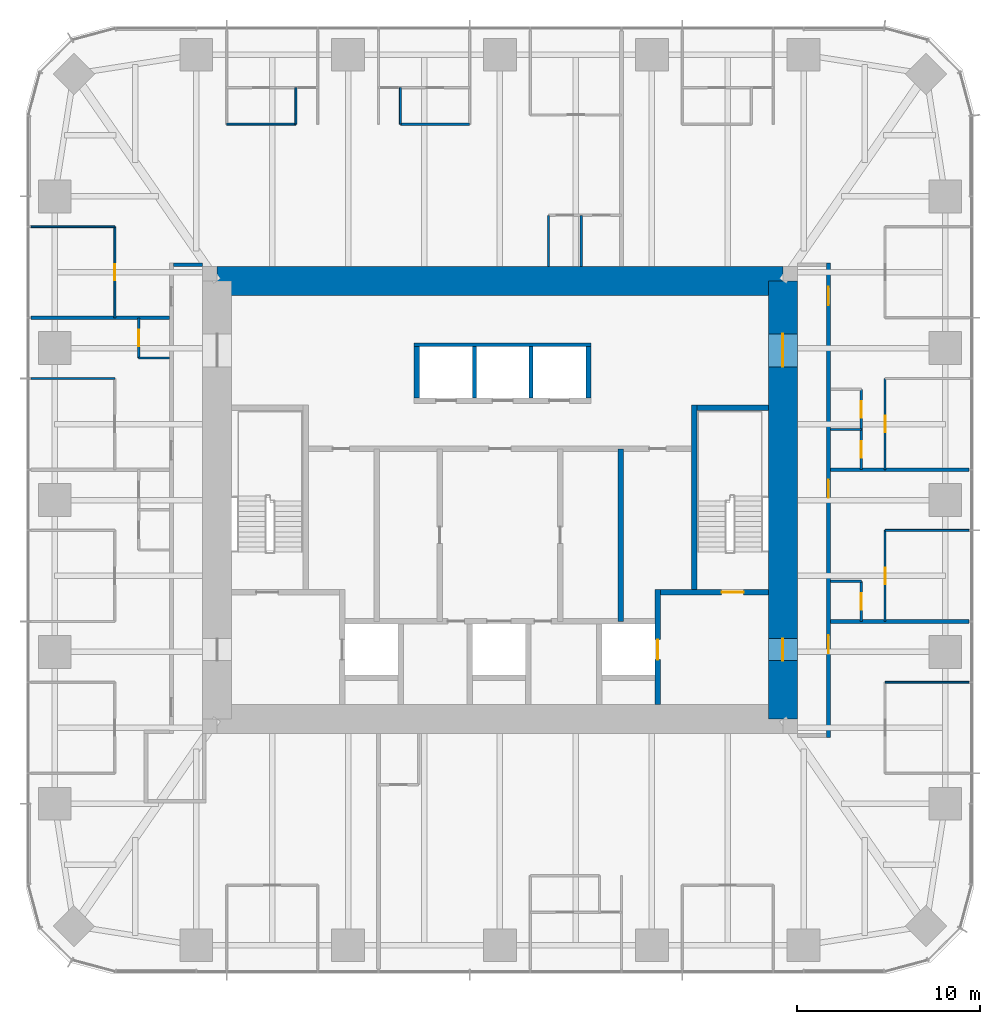
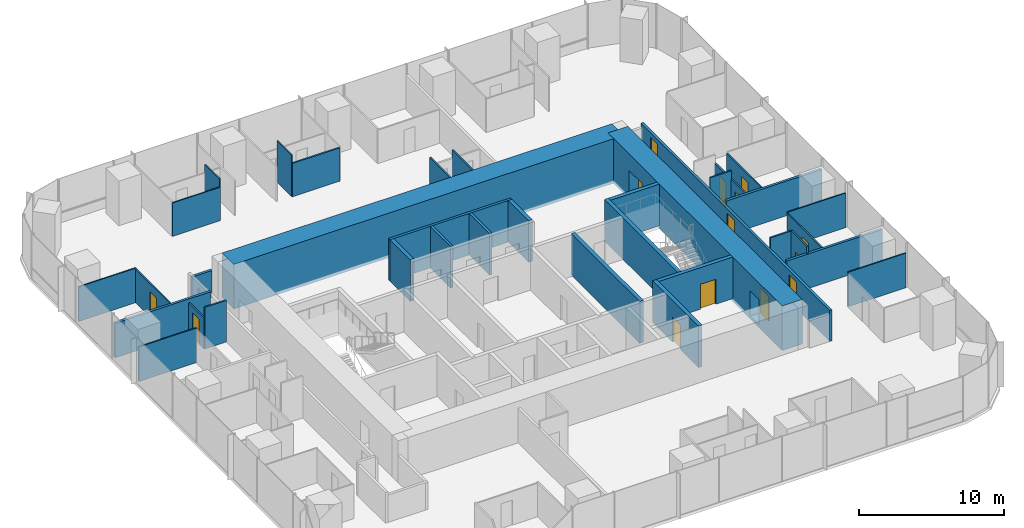
# One storey, part 10 of 12: 36 walls, 14 doors, 14 openings.
"""IFC4 building model written with IfcOpenShell, lengths in metres."""

from ifc_helpers import new_model, si_unit, direction, frame, frame_2d, origin, place, context, subcontext, project, spatial, rectangle, extrude, material, layer, layer_set, type_object, element, fill, save


model = new_model("IFC4")

# Units and contexts
model_context = context("Model", 3, precision=1e-05, world=origin(), true_north=direction((0.0, 1.0)))
body_context = subcontext(model_context, "Body", "Model", "MODEL_VIEW")
ifc_project = project(units=[si_unit("LENGTHUNIT", "METRE"), si_unit("AREAUNIT", "SQUARE_METRE"), si_unit("VOLUMEUNIT", "CUBIC_METRE"), si_unit("PLANEANGLEUNIT", "RADIAN"), si_unit("MASSUNIT", "GRAM", prefix="KILO")], contexts=[model_context])

# Site, building, storey
site_placement = place(None, origin())
site = spatial("IfcSite", under=ifc_project, at=site_placement, CompositionType="ELEMENT")
building_placement = place(site_placement, origin())
building = spatial("IfcBuilding", under=site, at=building_placement, Name="Khuree Lantern Residences", CompositionType="ELEMENT")
storey_placement = place(building_placement, frame((0.0, 0.0, 244.5)))
storey = spatial("IfcBuildingStorey", under=building, at=storey_placement, Name="L61", CompositionType="ELEMENT", Elevation=244.5)

# Wall, opening, door
ifc_material_1 = material(Name="Moisture-resistant gypsum board on steel studs", Category="steel")
ifc_layer_1 = layer(ifc_material_1, 0.125)
ifc_layer_set_1 = layer_set([ifc_layer_1], Name="BATHROOM WALL BTW125")
wall_type_1 = type_object("IfcWallType", Name="BATHROOM WALL BTW125", PredefinedType="PARTITIONING", material=ifc_layer_set_1)
wall_1_placement = place(storey_placement, frame((19.800048828125, -6.656005859375, 0.0), z_axis=(0.0, 0.0, 1.0), x_axis=(0.0, 1.0, 0.0)))
wall_1 = element("IfcWall", 1, at=wall_1_placement, inside=storey, type_object=wall_type_1, Name="L61 BATHROOM WALL 01", PredefinedType="PARTITIONING", context=body_context, shape_type="SweptSolid", body=[
    extrude(rectangle(XDim=2.199951171875, YDim=0.125, at=frame_2d((1.10009765625, 0.0))), origin(), (0.0, 0.0, 1.0), 3.5),
])
opening_1_placement = place(wall_1_placement, frame((0.64990234375, 0.0, 0.0)))
opening_1 = element("IfcOpeningElement", 2, at=opening_1_placement, cuts=wall_1, Name="Opening 61-021", PredefinedType="OPENING", context=body_context, shape_type="SweptSolid", body=[
    extrude(rectangle(XDim=0.89990234375, YDim=2.10009765625, at=frame_2d((0.449951171875, 1.050048828125))), frame((0.0, 0.072509765625, 0.0), z_axis=(0.0, -1.0, 0.0), x_axis=(1.0, 0.0, 0.0)), (0.0, 0.0, 1.0), 0.14501953125),
])
ifc_material_2 = material(Name="Timber door leaf in hardwood frame", Category="wood")
door_type_1 = type_object("IfcDoorType", Name="BATHROOM DOOR 900X2100", OperationType="SINGLE_SWING_LEFT", PredefinedType="DOOR", material=ifc_material_2)
door_1_placement = place(opening_1_placement, origin())
door_1 = element("IfcDoor", 3, at=door_1_placement, inside=storey, type_object=door_type_1, Name="Bathroom door 61-021", OperationType="SINGLE_SWING_LEFT", OverallHeight=2.10009765625, OverallWidth=0.89990234375, PredefinedType="DOOR", context=body_context, shape_type="SweptSolid", body=[
    extrude(rectangle(XDim=0.89990234375, YDim=2.10009765625, at=frame_2d((0.449951171875, 1.050048828125))), frame((0.0, 0.02490234375, 0.0), z_axis=(0.0, -1.0, 0.0), x_axis=(1.0, 0.0, 0.0)), (0.0, 0.0, 1.0), 0.050048828125),
])
fill(opening_1, door_1)

# Wall
wall_2_placement = place(storey_placement, frame((18.10009765625, -4.4560546875, 0.0), z_axis=(0.0, 0.0, 1.0), x_axis=(1.0, 0.0, 0.0)))
element("IfcWall", 4, at=wall_2_placement, inside=storey, type_object=wall_type_1, Name="L61 BATHROOM WALL 01", PredefinedType="PARTITIONING", context=body_context, shape_type="SweptSolid", body=[
    extrude(rectangle(XDim=1.699951171875, YDim=0.125, at=frame_2d((0.85009765625, 0.0))), origin(), (0.0, 0.0, 1.0), 3.5),
])

# Wall, openings, doors
wall_3_placement = place(storey_placement, frame((19.800048828125, 1.6640625, 0.0), z_axis=(0.0, 0.0, 1.0), x_axis=(0.0, 1.0, 0.0)))
wall_3 = element("IfcWall", 5, at=wall_3_placement, inside=storey, type_object=wall_type_1, Name="L61 BATHROOM WALL 02", PredefinedType="PARTITIONING", context=body_context, shape_type="SweptSolid", body=[
    extrude(rectangle(XDim=4.39990234375, YDim=0.125, at=frame_2d((2.199951171875, 0.0))), origin(), (0.0, 0.0, 1.0), 2.81005859375),
])
opening_2_placement = place(wall_3_placement, frame((0.64990234375, 0.0, 0.0)))
opening_2 = element("IfcOpeningElement", 6, at=opening_2_placement, cuts=wall_3, Name="Opening 61-027", PredefinedType="OPENING", context=body_context, shape_type="SweptSolid", body=[
    extrude(rectangle(XDim=0.89990234375, YDim=2.10009765625, at=frame_2d((0.449951171875, 1.050048828125))), frame((0.0, 0.072509765625, 0.0), z_axis=(0.0, -1.0, 0.0), x_axis=(1.0, 0.0, 0.0)), (0.0, 0.0, 1.0), 0.14501953125),
])
opening_3_placement = place(wall_3_placement, frame((2.85009765625, 0.0, 0.0)))
opening_3 = element("IfcOpeningElement", 7, at=opening_3_placement, cuts=wall_3, Name="Opening 61-028", PredefinedType="OPENING", context=body_context, shape_type="SweptSolid", body=[
    extrude(rectangle(XDim=0.89990234375, YDim=2.10009765625, at=frame_2d((0.449951171875, 1.050048828125))), frame((0.0, 0.072509765625, 0.0), z_axis=(0.0, -1.0, 0.0), x_axis=(1.0, 0.0, 0.0)), (0.0, 0.0, 1.0), 0.14501953125),
])
door_2_placement = place(opening_2_placement, origin())
door_2 = element("IfcDoor", 8, at=door_2_placement, inside=storey, type_object=door_type_1, Name="Bathroom door 61-027", OperationType="SINGLE_SWING_LEFT", OverallHeight=2.10009765625, OverallWidth=0.89990234375, PredefinedType="DOOR", context=body_context, shape_type="SweptSolid", body=[
    extrude(rectangle(XDim=0.89990234375, YDim=2.10009765625, at=frame_2d((0.449951171875, 1.050048828125))), frame((0.0, 0.02490234375, 0.0), z_axis=(0.0, -1.0, 0.0), x_axis=(1.0, 0.0, 0.0)), (0.0, 0.0, 1.0), 0.050048828125),
])
fill(opening_2, door_2)
door_3_placement = place(opening_3_placement, origin())
door_3 = element("IfcDoor", 9, at=door_3_placement, inside=storey, type_object=door_type_1, Name="Bathroom door 61-028", OperationType="SINGLE_SWING_LEFT", OverallHeight=2.10009765625, OverallWidth=0.89990234375, PredefinedType="DOOR", context=body_context, shape_type="SweptSolid", body=[
    extrude(rectangle(XDim=0.89990234375, YDim=2.10009765625, at=frame_2d((0.449951171875, 1.050048828125))), frame((0.0, 0.02490234375, 0.0), z_axis=(0.0, -1.0, 0.0), x_axis=(1.0, 0.0, 0.0)), (0.0, 0.0, 1.0), 0.050048828125),
])
fill(opening_3, door_3)

# Walls
wall_4_placement = place(storey_placement, frame((18.10009765625, 3.864013671875, 0.0), z_axis=(0.0, 0.0, 1.0), x_axis=(1.0, 0.0, 0.0)))
element("IfcWall", 10, at=wall_4_placement, inside=storey, type_object=wall_type_1, Name="L61 BATHROOM WALL 02", PredefinedType="PARTITIONING", context=body_context, shape_type="SweptSolid", body=[
    extrude(rectangle(XDim=1.699951171875, YDim=0.125, at=frame_2d((0.85009765625, 0.0))), origin(), (0.0, 0.0, 1.0), 3.5),
])
wall_5_placement = place(storey_placement, frame((-1.6640625, 20.594970703125, 0.0), z_axis=(0.0, 0.0, 1.0), x_axis=(-1.0, 0.0, 0.0)))
element("IfcWall", 11, at=wall_5_placement, inside=storey, type_object=wall_type_1, Name="L61 BATHROOM WALL 03", PredefinedType="PARTITIONING", context=body_context, shape_type="SweptSolid", body=[
    extrude(rectangle(XDim=3.7919921875, YDim=0.125, at=frame_2d((1.89599609375, 0.0))), origin(), (0.0, 0.0, 1.0), 2.81005859375),
])
for number, where, z_axis, x_axis, name in (
    (12, (4.4560546875, 12.800048828125, 0.0), (0.0, 0.0, 1.0), (0.0, 1.0, 0.0), "L61 BATHROOM WALL 03"),
    (13, (2.656005859375, 12.800048828125, 0.0), (0.0, 0.0, 1.0), (0.0, 1.0, 0.0), "L61 BATHROOM WALL 03"),
):
    element("IfcWall", number, at=place(storey_placement, frame(where, z_axis=z_axis, x_axis=x_axis)), inside=storey, type_object=wall_type_1, Name=name, PredefinedType="PARTITIONING", context=body_context, shape_type="SweptSolid", body=[
        extrude(rectangle(XDim=2.800048828125, YDim=0.125, at=frame_2d((1.39990234375, 0.0))), origin(), (0.0, 0.0, 1.0), 3.5),
    ])

# Wall, opening, door
wall_6_placement = place(storey_placement, frame((-19.800048828125, 9.98388671875, 0.0), z_axis=(0.0, 0.0, 1.0), x_axis=(0.0, -1.0, 0.0)))
wall_6 = element("IfcWall", 14, at=wall_6_placement, inside=storey, type_object=wall_type_1, Name="L61 BATHROOM WALL 04", PredefinedType="PARTITIONING", context=body_context, shape_type="SweptSolid", body=[
    extrude(rectangle(XDim=2.199951171875, YDim=0.125, at=frame_2d((1.10009765625, 0.0))), origin(), (0.0, 0.0, 1.0), 2.60009765625),
])
opening_4_placement = place(wall_6_placement, frame((0.64990234375, 0.0, 0.0)))
opening_4 = element("IfcOpeningElement", 15, at=opening_4_placement, cuts=wall_6, Name="Opening 61-040", PredefinedType="OPENING", context=body_context, shape_type="SweptSolid", body=[
    extrude(rectangle(XDim=0.89990234375, YDim=2.10009765625, at=frame_2d((0.449951171875, 1.050048828125))), frame((0.0, 0.072509765625, 0.0), z_axis=(0.0, -1.0, 0.0), x_axis=(1.0, 0.0, 0.0)), (0.0, 0.0, 1.0), 0.14501953125),
])
door_4_placement = place(opening_4_placement, origin())
door_4 = element("IfcDoor", 16, at=door_4_placement, inside=storey, type_object=door_type_1, Name="Bathroom door 61-040", OperationType="SINGLE_SWING_LEFT", OverallHeight=2.10009765625, OverallWidth=0.89990234375, PredefinedType="DOOR", context=body_context, shape_type="SweptSolid", body=[
    extrude(rectangle(XDim=0.89990234375, YDim=2.10009765625, at=frame_2d((0.449951171875, 1.050048828125))), frame((0.0, 0.02490234375, 0.0), z_axis=(0.0, -1.0, 0.0), x_axis=(1.0, 0.0, 0.0)), (0.0, 0.0, 1.0), 0.050048828125),
])
fill(opening_4, door_4)

# Wall
wall_7_placement = place(storey_placement, frame((-18.10009765625, 7.783935546875, 0.0), z_axis=(0.0, 0.0, 1.0), x_axis=(-1.0, 0.0, 0.0)))
element("IfcWall", 17, at=wall_7_placement, inside=storey, type_object=wall_type_1, Name="L61 BATHROOM WALL 04", PredefinedType="PARTITIONING", context=body_context, shape_type="SweptSolid", body=[
    extrude(rectangle(XDim=1.699951171875, YDim=0.125, at=frame_2d((0.85009765625, 0.0))), origin(), (0.0, 0.0, 1.0), 3.5),
])

# Wall, opening, door
ifc_material_3 = material(Name="Dense concrete blockwork", Category="masonry")
ifc_layer_2 = layer(ifc_material_3, 0.300048828125)
ifc_layer_set_2 = layer_set([ifc_layer_2], Name="CORE PARTITION WALL CPW300 EI 120")
wall_type_2 = type_object("IfcWallType", Name="CORE PARTITION WALL CPW300 EI 120", PredefinedType="PARTITIONING", material=ifc_layer_set_2)
wall_8_placement = place(storey_placement, frame((8.64990234375, -11.199951171875, 0.0), z_axis=(0.0, 0.0, 1.0), x_axis=(0.0, 1.0, 0.0)))
wall_8 = element("IfcWall", 18, at=wall_8_placement, inside=storey, type_object=wall_type_2, Name="L61 CORE WALL FL2E", PredefinedType="PARTITIONING", context=body_context, shape_type="SweptSolid", body=[
    extrude(rectangle(XDim=6.300048828125, YDim=0.300048828125, at=frame_2d((3.14990234375, 0.0))), origin(), (0.0, 0.0, 1.0), 3.5),
])
opening_5_placement = place(wall_8_placement, frame((2.449951171875, 0.0, 0.0)))
opening_5 = element("IfcOpeningElement", 19, at=opening_5_placement, cuts=wall_8, Name="Opening 61-008", PredefinedType="OPENING", context=body_context, shape_type="SweptSolid", body=[
    extrude(rectangle(XDim=1.10009765625, YDim=2.10009765625, at=frame_2d((0.550048828125, 1.050048828125))), frame((0.0, 0.16015625, 0.0), z_axis=(0.0, -1.0, 0.0), x_axis=(1.0, 0.0, 0.0)), (0.0, 0.0, 1.0), 0.320068359375),
])
ifc_material_4 = material(Name="Stainless steel lift landing door", Category="steel")
door_type_2 = type_object("IfcDoorType", Name="LIFT LANDING DOOR 1100X2100 E 120", OperationType="DOUBLE_DOOR_SLIDING", PredefinedType="DOOR", material=ifc_material_4)
door_5_placement = place(opening_5_placement, origin())
door_5 = element("IfcDoor", 20, at=door_5_placement, inside=storey, type_object=door_type_2, Name="Landing door FL2 61-008", OperationType="DOUBLE_DOOR_SLIDING", OverallHeight=2.10009765625, OverallWidth=1.10009765625, PredefinedType="DOOR", context=body_context, shape_type="SweptSolid", body=[
    extrude(rectangle(XDim=1.10009765625, YDim=2.10009765625, at=frame_2d((0.550048828125, 1.050048828125))), frame((0.0, 0.02490234375, 0.0), z_axis=(0.0, -1.0, 0.0), x_axis=(1.0, 0.0, 0.0)), (0.0, 0.0, 1.0), 0.050048828125),
])
fill(opening_5, door_5)

# Walls
for number, where, z_axis, x_axis, name in (
    (21, (-4.550048828125, 5.60009765625, 0.0), (0.0, 0.0, 1.0), (0.0, 1.0, 0.0), "L61 CORE WALL PHW"),
    (22, (4.85009765625, 5.60009765625, 0.0), (0.0, 0.0, 1.0), (0.0, 1.0, 0.0), "L61 CORE WALL PHE"),
):
    element("IfcWall", number, at=place(storey_placement, frame(where, z_axis=z_axis, x_axis=x_axis)), inside=storey, type_object=wall_type_2, Name=name, PredefinedType="PARTITIONING", context=body_context, shape_type="SweptSolid", body=[
        extrude(rectangle(XDim=2.7998046875, YDim=0.300048828125, at=frame_2d((1.39990234375, 0.0))), origin(), (0.0, 0.0, 1.0), 3.5),
    ])
wall_9_placement = place(storey_placement, frame((6.6220703125, -6.64990234375, 0.0), z_axis=(0.0, 0.0, 1.0), x_axis=(0.0, 1.0, 0.0)))
element("IfcWall", 23, at=wall_9_placement, inside=storey, type_object=wall_type_2, Name="L61 CORE WALL EV", PredefinedType="PARTITIONING", context=body_context, shape_type="SweptSolid", body=[
    extrude(rectangle(XDim=9.449951171875, YDim=0.300048828125, at=frame_2d((4.72509765625, 0.0))), origin(), (0.0, 0.0, 1.0), 3.5),
])
ifc_material_5 = material(Name="Gypsum board on steel studs", Category="steel")
ifc_layer_3 = layer(ifc_material_5, 0.199951171875)
ifc_layer_set_3 = layer_set([ifc_layer_3], Name="CORRIDOR WALL CRW200 EI 60")
wall_type_3 = type_object("IfcWallType", Name="CORRIDOR WALL CRW200 EI 60", PredefinedType="PARTITIONING", material=ifc_layer_set_3)
wall_10_placement = place(storey_placement, frame((-16.300048828125, 12.89990234375, 0.0), z_axis=(0.0, 0.0, 1.0), x_axis=(-1.0, 0.0, 0.0)))
element("IfcWall", 24, at=wall_10_placement, inside=storey, type_object=wall_type_3, Name="L61 WEST CORRIDOR NORTH END WALL", PredefinedType="PARTITIONING", context=body_context, shape_type="SweptSolid", body=[
    extrude(rectangle(XDim=1.599853515625, YDim=0.199951171875, at=frame_2d((0.7998046875, 0.0))), origin(), (0.0, 0.0, 1.0), 2.300048828125),
])

# Wall, openings, doors
wall_11_placement = place(storey_placement, frame((18.0, -13.0, 0.0), z_axis=(0.0, 0.0, 1.0), x_axis=(0.0, 1.0, 0.0)))
wall_11 = element("IfcWall", 25, at=wall_11_placement, inside=storey, type_object=wall_type_3, Name="L61 CORRIDOR WALL EAST 1", PredefinedType="PARTITIONING", context=body_context, shape_type="SweptSolid", body=[
    extrude(rectangle(XDim=26.0, YDim=0.199951171875, at=frame_2d((13.0, 0.0))), origin(), (0.0, 0.0, 1.0), 2.60009765625),
])
opening_6_placement = place(wall_11_placement, frame((13.114013671875, 0.0, 0.0)))
opening_6 = element("IfcOpeningElement", 26, at=opening_6_placement, cuts=wall_11, Name="Opening 61-022", PredefinedType="OPENING", context=body_context, shape_type="SweptSolid", body=[
    extrude(rectangle(XDim=1.0, YDim=2.199951171875, at=frame_2d((0.5, 1.10009765625))), frame((0.0, 0.10986328125, 0.0), z_axis=(0.0, -1.0, 0.0), x_axis=(1.0, 0.0, 0.0)), (0.0, 0.0, 1.0), 0.219970703125),
])
opening_7_placement = place(wall_11_placement, frame((23.68408203125, 0.0, 0.0)))
opening_7 = element("IfcOpeningElement", 27, at=opening_7_placement, cuts=wall_11, Name="Opening 61-029", PredefinedType="OPENING", context=body_context, shape_type="SweptSolid", body=[
    extrude(rectangle(XDim=1.0, YDim=2.199951171875, at=frame_2d((0.5, 1.10009765625))), frame((0.0, 0.10986328125, 0.0), z_axis=(0.0, -1.0, 0.0), x_axis=(1.0, 0.0, 0.0)), (0.0, 0.0, 1.0), 0.219970703125),
])
opening_8_placement = place(wall_11_placement, frame((4.60009765625, 0.0, 0.0)))
opening_8 = element("IfcOpeningElement", 28, at=opening_8_placement, cuts=wall_11, Name="Opening 61-053", PredefinedType="OPENING", context=body_context, shape_type="SweptSolid", body=[
    extrude(rectangle(XDim=1.0, YDim=2.199951171875, at=frame_2d((0.5, 1.10009765625))), frame((0.0, 0.10986328125, 0.0), z_axis=(0.0, -1.0, 0.0), x_axis=(1.0, 0.0, 0.0)), (0.0, 0.0, 1.0), 0.219970703125),
])
door_type_3 = type_object("IfcDoorType", Name="APARTMENT ENTRANCE DOOR 1000X2200 EI 30S", OperationType="SINGLE_SWING_LEFT", PredefinedType="DOOR", material=ifc_material_2)
door_6_placement = place(opening_6_placement, origin())
door_6 = element("IfcDoor", 29, at=door_6_placement, inside=storey, type_object=door_type_3, Name="Apartment 01 entrance door 61-022", OperationType="SINGLE_SWING_LEFT", OverallHeight=2.199951171875, OverallWidth=1.0, PredefinedType="DOOR", context=body_context, shape_type="SweptSolid", body=[
    extrude(rectangle(XDim=1.0, YDim=2.199951171875, at=frame_2d((0.5, 1.10009765625))), frame((0.0, 0.02490234375, 0.0), z_axis=(0.0, -1.0, 0.0), x_axis=(1.0, 0.0, 0.0)), (0.0, 0.0, 1.0), 0.050048828125),
])
fill(opening_6, door_6)
door_7_placement = place(opening_8_placement, origin())
door_7 = element("IfcDoor", 30, at=door_7_placement, inside=storey, type_object=door_type_3, Name="Apartment 06 entrance door 61-053", OperationType="SINGLE_SWING_LEFT", OverallHeight=2.199951171875, OverallWidth=1.0, PredefinedType="DOOR", context=body_context, shape_type="SweptSolid", body=[
    extrude(rectangle(XDim=1.0, YDim=2.199951171875, at=frame_2d((0.5, 1.10009765625))), frame((0.0, 0.02490234375, 0.0), z_axis=(0.0, -1.0, 0.0), x_axis=(1.0, 0.0, 0.0)), (0.0, 0.0, 1.0), 0.050048828125),
])
fill(opening_8, door_7)
door_type_4 = type_object("IfcDoorType", Name="APARTMENT ENTRANCE DOOR 1000X2200 EI 30S RIGHT HAND", OperationType="SINGLE_SWING_RIGHT", PredefinedType="DOOR", material=ifc_material_2)
door_8_placement = place(opening_7_placement, origin())
door_8 = element("IfcDoor", 31, at=door_8_placement, inside=storey, type_object=door_type_4, Name="Apartment 02 entrance door 61-029", OperationType="SINGLE_SWING_RIGHT", OverallHeight=2.199951171875, OverallWidth=1.0, PredefinedType="DOOR", context=body_context, shape_type="SweptSolid", body=[
    extrude(rectangle(XDim=1.0, YDim=2.199951171875, at=frame_2d((0.5, 1.10009765625))), frame((0.0, 0.02490234375, 0.0), z_axis=(0.0, -1.0, 0.0), x_axis=(1.0, 0.0, 0.0)), (0.0, 0.0, 1.0), 0.050048828125),
])
fill(opening_7, door_8)

ifc_material_6 = material(Name="Concrete C50/60", Category="concrete")
ifc_layer_4 = layer(ifc_material_6, 1.60009765625)
ifc_layer_set_4 = layer_set([ifc_layer_4], Name="CW1600-C50 CORE WALL C50 1600")
wall_type_4 = type_object("IfcWallType", Name="CW1600-C50 CORE WALL C50 1600", PredefinedType="SHEAR", material=ifc_layer_set_4)
wall_12_placement = place(storey_placement, frame((15.5, -12.0, -0.25), z_axis=(0.0, 0.0, 1.0), x_axis=(0.0, 1.0, 0.0)))
wall_12 = element("IfcWall", 32, at=wall_12_placement, inside=storey, type_object=wall_type_4, Name="Core wall E", PredefinedType="SHEAR", context=body_context, shape_type="SweptSolid", body=[
    extrude(rectangle(XDim=24.0, YDim=1.60009765625, at=frame_2d((12.0, 0.0))), origin(), (0.0, 0.0, 1.0), 3.75),
])
opening_9_placement = place(wall_12_placement, frame((3.199951171875, 0.0, 0.25)))
opening_9 = element("IfcOpeningElement", 33, at=opening_9_placement, cuts=wall_12, Name="Opening 61-005", PredefinedType="OPENING", context=body_context, shape_type="SweptSolid", body=[
    extrude(rectangle(XDim=1.199951171875, YDim=2.10009765625, at=frame_2d((0.60009765625, 1.050048828125))), frame((0.0, 0.81005859375, 0.0), z_axis=(0.0, -1.0, 0.0), x_axis=(1.0, 0.0, 0.0)), (0.0, 0.0, 1.0), 1.6201171875),
])
opening_10_placement = place(wall_12_placement, frame((19.300048828125, 0.0, 0.25)))
opening_10 = element("IfcOpeningElement", 34, at=opening_10_placement, cuts=wall_12, Name="Opening 61-006", PredefinedType="OPENING", context=body_context, shape_type="SweptSolid", body=[
    extrude(rectangle(XDim=1.800048828125, YDim=2.10009765625, at=frame_2d((0.89990234375, 1.050048828125))), frame((0.0, 0.81005859375, 0.0), z_axis=(0.0, -1.0, 0.0), x_axis=(1.0, 0.0, 0.0)), (0.0, 0.0, 1.0), 1.6201171875),
])
ifc_material_7 = material(Name="Steel door leaf in steel frame", Category="steel")
door_type_5 = type_object("IfcDoorType", Name="LOBBY DOOR 1200X2100 EI 120", OperationType="SINGLE_SWING_LEFT", PredefinedType="DOOR", material=ifc_material_7)
door_9_placement = place(opening_9_placement, origin())
door_9 = element("IfcDoor", 35, at=door_9_placement, inside=storey, type_object=door_type_5, Name="Firefighting lobby door 61-005", OperationType="SINGLE_SWING_LEFT", OverallHeight=2.10009765625, OverallWidth=1.199951171875, PredefinedType="DOOR", context=body_context, shape_type="SweptSolid", body=[
    extrude(rectangle(XDim=1.199951171875, YDim=2.10009765625, at=frame_2d((0.60009765625, 1.050048828125))), frame((0.0, 0.02490234375, 0.0), z_axis=(0.0, -1.0, 0.0), x_axis=(1.0, 0.0, 0.0)), (0.0, 0.0, 1.0), 0.050048828125),
])
fill(opening_9, door_9)
door_type_6 = type_object("IfcDoorType", Name="LOBBY DOUBLE DOOR 1800X2100 EI 60", OperationType="DOUBLE_DOOR_SINGLE_SWING", PredefinedType="DOOR", material=ifc_material_7)
door_10_placement = place(opening_10_placement, origin())
door_10 = element("IfcDoor", 36, at=door_10_placement, inside=storey, type_object=door_type_6, Name="Lift lobby door 61-006", OperationType="DOUBLE_DOOR_SINGLE_SWING", OverallHeight=2.10009765625, OverallWidth=1.800048828125, PredefinedType="DOOR", context=body_context, shape_type="SweptSolid", body=[
    extrude(rectangle(XDim=1.800048828125, YDim=2.10009765625, at=frame_2d((0.89990234375, 1.050048828125))), frame((0.0, 0.02490234375, 0.0), z_axis=(0.0, -1.0, 0.0), x_axis=(1.0, 0.0, 0.0)), (0.0, 0.0, 1.0), 0.050048828125),
])
fill(opening_10, door_10)

# Walls
wall_13_placement = place(storey_placement, frame((-15.5, 12.0, -0.25), z_axis=(0.0, 0.0, 1.0), x_axis=(1.0, 0.0, 0.0)))
element("IfcWall", 37, at=wall_13_placement, inside=storey, type_object=wall_type_4, Name="Core wall N", PredefinedType="SHEAR", context=body_context, shape_type="SweptSolid", body=[
    extrude(rectangle(XDim=31.0, YDim=1.60009765625, at=frame_2d((15.5, 0.0))), origin(), (0.0, 0.0, 1.0), 3.75),
])
ifc_layer_5 = layer(ifc_material_5, 0.199951171875)
ifc_layer_set_5 = layer_set([ifc_layer_5], Name="DEMISING WALL DMW200 EI 90")
wall_type_5 = type_object("IfcWallType", Name="DEMISING WALL DMW200 EI 90", PredefinedType="PARTITIONING", material=ifc_layer_set_5)
for number, where, z_axis, x_axis, name in (
    (38, (18.10009765625, -6.656005859375, 0.0), (0.0, 0.0, 1.0), (1.0, 0.0, 0.0), "L61 DEMISING WALL 01"),
    (39, (18.10009765625, 1.6640625, 0.0), (0.0, 0.0, 1.0), (1.0, 0.0, 0.0), "L61 DEMISING WALL 02"),
    (40, (-18.10009765625, 9.98388671875, 0.0), (0.0, 0.0, 1.0), (-1.0, 0.0, 0.0), "L61 DEMISING WALL 04"),
):
    element("IfcWall", number, at=place(storey_placement, frame(where, z_axis=z_axis, x_axis=x_axis)), inside=storey, type_object=wall_type_5, Name=name, PredefinedType="PARTITIONING", context=body_context, shape_type="SweptSolid", body=[
        extrude(rectangle(XDim=7.599853515625, YDim=0.199951171875, at=frame_2d((3.7998046875, 0.0))), origin(), (0.0, 0.0, 1.0), 2.909912109375),
    ])
ifc_layer_6 = layer(ifc_material_5, 0.10009765625)
ifc_layer_set_6 = layer_set([ifc_layer_6], Name="PARTITION PT100")
wall_type_6 = type_object("IfcWallType", Name="PARTITION PT100", PredefinedType="PARTITIONING", material=ifc_layer_set_6)
for number, where, z_axis, x_axis, name in (
    (41, (21.10009765625, -1.6640625, 0.0), (0.0, 0.0, 1.0), (1.0, 0.0, 0.0), "L61 PARTITION 01"),
    (42, (-21.10009765625, 14.97607421875, 0.0), (0.0, 0.0, 1.0), (-1.0, 0.0, 0.0), "L61 PARTITION 03"),
    (43, (-21.10009765625, 6.656005859375, 0.0), (0.0, 0.0, 1.0), (-1.0, 0.0, 0.0), "L61 PARTITION 04"),
    (44, (21.10009765625, -9.98388671875, 0.0), (0.0, 0.0, 1.0), (1.0, 0.0, 0.0), "L61 PARTITION 06"),
):
    element("IfcWall", number, at=place(storey_placement, frame(where, z_axis=z_axis, x_axis=x_axis)), inside=storey, type_object=wall_type_6, Name=name, PredefinedType="PARTITIONING", context=body_context, shape_type="SweptSolid", body=[
        extrude(rectangle(XDim=4.599853515625, YDim=0.10009765625, at=frame_2d((2.2998046875, 0.0))), origin(), (0.0, 0.0, 1.0), 2.909912109375),
    ])

# Wall, opening, door
wall_14_placement = place(storey_placement, frame((21.10009765625, -6.656005859375, 0.0), z_axis=(0.0, 0.0, 1.0), x_axis=(0.0, 1.0, 0.0)))
wall_14 = element("IfcWall", 45, at=wall_14_placement, inside=storey, type_object=wall_type_6, Name="L61 PARTITION 01", PredefinedType="PARTITIONING", context=body_context, shape_type="SweptSolid", body=[
    extrude(rectangle(XDim=4.991943359375, YDim=0.10009765625, at=frame_2d((2.49609375, 0.0))), origin(), (0.0, 0.0, 1.0), 2.81005859375),
])
opening_11_placement = place(wall_14_placement, frame((2.0458984375, 0.0, 0.0)))
opening_11 = element("IfcOpeningElement", 46, at=opening_11_placement, cuts=wall_14, Name="Opening 61-020", PredefinedType="OPENING", context=body_context, shape_type="SweptSolid", body=[
    extrude(rectangle(XDim=0.89990234375, YDim=2.10009765625, at=frame_2d((0.449951171875, 1.050048828125))), frame((0.0, 0.06005859375, 0.0), z_axis=(0.0, -1.0, 0.0), x_axis=(1.0, 0.0, 0.0)), (0.0, 0.0, 1.0), 0.1201171875),
])
door_type_7 = type_object("IfcDoorType", Name="BEDROOM DOOR 900X2100", OperationType="SINGLE_SWING_LEFT", PredefinedType="DOOR", material=ifc_material_2)
door_11_placement = place(opening_11_placement, origin())
door_11 = element("IfcDoor", 47, at=door_11_placement, inside=storey, type_object=door_type_7, Name="Bedroom door 61-020", OperationType="SINGLE_SWING_LEFT", OverallHeight=2.10009765625, OverallWidth=0.89990234375, PredefinedType="DOOR", context=body_context, shape_type="SweptSolid", body=[
    extrude(rectangle(XDim=0.89990234375, YDim=2.10009765625, at=frame_2d((0.449951171875, 1.050048828125))), frame((0.0, 0.02490234375, 0.0), z_axis=(0.0, -1.0, 0.0), x_axis=(1.0, 0.0, 0.0)), (0.0, 0.0, 1.0), 0.050048828125),
])
fill(opening_11, door_11)

wall_15_placement = place(storey_placement, frame((21.10009765625, 1.6640625, 0.0), z_axis=(0.0, 0.0, 1.0), x_axis=(0.0, 1.0, 0.0)))
wall_15 = element("IfcWall", 48, at=wall_15_placement, inside=storey, type_object=wall_type_6, Name="L61 PARTITION 02", PredefinedType="PARTITIONING", context=body_context, shape_type="SweptSolid", body=[
    extrude(rectangle(XDim=4.991943359375, YDim=0.10009765625, at=frame_2d((2.49609375, 0.0))), origin(), (0.0, 0.0, 1.0), 2.81005859375),
])
opening_12_placement = place(wall_15_placement, frame((2.0458984375, 0.0, 0.0)))
opening_12 = element("IfcOpeningElement", 49, at=opening_12_placement, cuts=wall_15, Name="Opening 61-023", PredefinedType="OPENING", context=body_context, shape_type="SweptSolid", body=[
    extrude(rectangle(XDim=0.89990234375, YDim=2.10009765625, at=frame_2d((0.449951171875, 1.050048828125))), frame((0.0, 0.06005859375, 0.0), z_axis=(0.0, -1.0, 0.0), x_axis=(1.0, 0.0, 0.0)), (0.0, 0.0, 1.0), 0.1201171875),
])
door_12_placement = place(opening_12_placement, origin())
door_12 = element("IfcDoor", 50, at=door_12_placement, inside=storey, type_object=door_type_7, Name="Bedroom door 61-023", OperationType="SINGLE_SWING_LEFT", OverallHeight=2.10009765625, OverallWidth=0.89990234375, PredefinedType="DOOR", context=body_context, shape_type="SweptSolid", body=[
    extrude(rectangle(XDim=0.89990234375, YDim=2.10009765625, at=frame_2d((0.449951171875, 1.050048828125))), frame((0.0, 0.02490234375, 0.0), z_axis=(0.0, -1.0, 0.0), x_axis=(1.0, 0.0, 0.0)), (0.0, 0.0, 1.0), 0.050048828125),
])
fill(opening_12, door_12)

# Walls
for number, where, z_axis, x_axis, name in (
    (51, (-5.4560546875, 20.594970703125, 0.0), (0.0, 0.0, 1.0), (0.0, 1.0, 0.0), "L61 PARTITION 03"),
    (52, (-11.18408203125, 20.594970703125, 0.0), (0.0, 0.0, 1.0), (0.0, 1.0, 0.0), "L61 PARTITION 03"),
):
    element("IfcWall", number, at=place(storey_placement, frame(where, z_axis=z_axis, x_axis=x_axis)), inside=storey, type_object=wall_type_6, Name=name, PredefinedType="PARTITIONING", context=body_context, shape_type="SweptSolid", body=[
        extrude(rectangle(XDim=2.0, YDim=0.10009765625, at=frame_2d((1.0, 0.0))), origin(), (0.0, 0.0, 1.0), 3.5),
    ])
wall_16_placement = place(storey_placement, frame((-11.18408203125, 20.594970703125, 0.0), z_axis=(0.0, 0.0, 1.0), x_axis=(-1.0, 0.0, 0.0)))
element("IfcWall", 53, at=wall_16_placement, inside=storey, type_object=wall_type_6, Name="L61 PARTITION 03", PredefinedType="PARTITIONING", context=body_context, shape_type="SweptSolid", body=[
    extrude(rectangle(XDim=3.7919921875, YDim=0.10009765625, at=frame_2d((1.89599609375, 0.0))), origin(), (0.0, 0.0, 1.0), 2.81005859375),
])

# Wall, opening, door
wall_17_placement = place(storey_placement, frame((-21.10009765625, 14.97607421875, 0.0), z_axis=(0.0, 0.0, 1.0), x_axis=(0.0, -1.0, 0.0)))
wall_17 = element("IfcWall", 54, at=wall_17_placement, inside=storey, type_object=wall_type_6, Name="L61 PARTITION 03", PredefinedType="PARTITIONING", context=body_context, shape_type="SweptSolid", body=[
    extrude(rectangle(XDim=4.9921875, YDim=0.10009765625, at=frame_2d((2.49609375, 0.0))), origin(), (0.0, 0.0, 1.0), 2.81005859375),
])
opening_13_placement = place(wall_17_placement, frame((2.0458984375, 0.0, 0.0)))
opening_13 = element("IfcOpeningElement", 55, at=opening_13_placement, cuts=wall_17, Name="Opening 61-035", PredefinedType="OPENING", context=body_context, shape_type="SweptSolid", body=[
    extrude(rectangle(XDim=0.89990234375, YDim=2.10009765625, at=frame_2d((0.449951171875, 1.050048828125))), frame((0.0, 0.06005859375, 0.0), z_axis=(0.0, -1.0, 0.0), x_axis=(1.0, 0.0, 0.0)), (0.0, 0.0, 1.0), 0.1201171875),
])
door_type_8 = type_object("IfcDoorType", Name="BEDROOM DOOR 900X2100 RIGHT HAND", OperationType="SINGLE_SWING_RIGHT", PredefinedType="DOOR", material=ifc_material_2)
door_13_placement = place(opening_13_placement, origin())
door_13 = element("IfcDoor", 56, at=door_13_placement, inside=storey, type_object=door_type_8, Name="Bedroom door 61-035", OperationType="SINGLE_SWING_RIGHT", OverallHeight=2.10009765625, OverallWidth=0.89990234375, PredefinedType="DOOR", context=body_context, shape_type="SweptSolid", body=[
    extrude(rectangle(XDim=0.89990234375, YDim=2.10009765625, at=frame_2d((0.449951171875, 1.050048828125))), frame((0.0, 0.02490234375, 0.0), z_axis=(0.0, -1.0, 0.0), x_axis=(1.0, 0.0, 0.0)), (0.0, 0.0, 1.0), 0.050048828125),
])
fill(opening_13, door_13)

# Walls
ifc_layer_7 = layer(ifc_material_3, 0.199951171875)
ifc_layer_set_7 = layer_set([ifc_layer_7], Name="SHAFT WALL SHW200 EI 120")
wall_type_7 = type_object("IfcWallType", Name="SHAFT WALL SHW200 EI 120", PredefinedType="PARTITIONING", material=ifc_layer_set_7)
wall_18_placement = place(storey_placement, frame((-4.699951171875, 8.5, 0.0), z_axis=(0.0, 0.0, 1.0), x_axis=(1.0, 0.0, 0.0)))
element("IfcWall", 57, at=wall_18_placement, inside=storey, type_object=wall_type_7, Name="L61 CORE WALL PHN", PredefinedType="PARTITIONING", context=body_context, shape_type="SweptSolid", body=[
    extrude(rectangle(XDim=9.699951171875, YDim=0.199951171875, at=frame_2d((4.85009765625, 0.0))), origin(), (0.0, 0.0, 1.0), 3.5),
])
for number, where, z_axis, x_axis, name in (
    (58, (-1.39990234375, 5.60009765625, 0.0), (0.0, 0.0, 1.0), (0.0, 1.0, 0.0), "L61 CORE WALL PHD1"),
    (59, (1.699951171875, 5.60009765625, 0.0), (0.0, 0.0, 1.0), (0.0, 1.0, 0.0), "L61 CORE WALL PHD2"),
):
    element("IfcWall", number, at=place(storey_placement, frame(where, z_axis=z_axis, x_axis=x_axis)), inside=storey, type_object=wall_type_7, Name=name, PredefinedType="PARTITIONING", context=body_context, shape_type="SweptSolid", body=[
        extrude(rectangle(XDim=2.7998046875, YDim=0.199951171875, at=frame_2d((1.39990234375, 0.0))), origin(), (0.0, 0.0, 1.0), 3.5),
    ])
ifc_layer_8 = layer(ifc_material_6, 0.300048828125)
ifc_layer_set_8 = layer_set([ifc_layer_8], Name="STAIR WALL SRW300 C50/60 REI 240")
wall_type_8 = type_object("IfcWallType", Name="STAIR WALL SRW300 C50/60 REI 240", PredefinedType="SOLIDWALL", material=ifc_layer_set_8)
wall_19_placement = place(storey_placement, frame((10.64990234375, -4.89990234375, 0.0), z_axis=(0.0, 0.0, 1.0), x_axis=(0.0, 1.0, 0.0)))
element("IfcWall", 60, at=wall_19_placement, inside=storey, type_object=wall_type_8, Name="L61 STAIR WALL ST2E", PredefinedType="SOLIDWALL", context=body_context, shape_type="SweptSolid", body=[
    extrude(rectangle(XDim=10.099853515625, YDim=0.300048828125, at=frame_2d((5.0498046875, 0.0))), origin(), (0.0, 0.0, 1.0), 3.5),
])

# Wall, opening, door
wall_20_placement = place(storey_placement, frame((14.699951171875, -5.050048828125, 0.0), z_axis=(0.0, 0.0, 1.0), x_axis=(-1.0, 0.0, 0.0)))
wall_20 = element("IfcWall", 61, at=wall_20_placement, inside=storey, type_object=wall_type_8, Name="L61 STAIR WALL ST2S", PredefinedType="SOLIDWALL", context=body_context, shape_type="SweptSolid", body=[
    extrude(rectangle(XDim=5.89990234375, YDim=0.300048828125, at=frame_2d((2.949951171875, 0.0))), origin(), (0.0, 0.0, 1.0), 3.5),
])
opening_14_placement = place(wall_20_placement, frame((1.35009765625, 0.0, 0.0)))
opening_14 = element("IfcOpeningElement", 62, at=opening_14_placement, cuts=wall_20, Name="Opening 61-004", PredefinedType="OPENING", context=body_context, shape_type="SweptSolid", body=[
    extrude(rectangle(XDim=1.199951171875, YDim=2.10009765625, at=frame_2d((0.60009765625, 1.050048828125))), frame((0.0, 0.16015625, 0.0), z_axis=(0.0, -1.0, 0.0), x_axis=(1.0, 0.0, 0.0)), (0.0, 0.0, 1.0), 0.320068359375),
])
door_type_9 = type_object("IfcDoorType", Name="STAIR DOOR 1200X2100 EI 120", OperationType="SINGLE_SWING_LEFT", PredefinedType="DOOR", material=ifc_material_7)
door_14_placement = place(opening_14_placement, origin())
door_14 = element("IfcDoor", 63, at=door_14_placement, inside=storey, type_object=door_type_9, Name="Stair ST2 door 61-004", OperationType="SINGLE_SWING_LEFT", OverallHeight=2.10009765625, OverallWidth=1.199951171875, PredefinedType="DOOR", context=body_context, shape_type="SweptSolid", body=[
    extrude(rectangle(XDim=1.199951171875, YDim=2.10009765625, at=frame_2d((0.60009765625, 1.050048828125))), frame((0.0, 0.02490234375, 0.0), z_axis=(0.0, -1.0, 0.0), x_axis=(1.0, 0.0, 0.0)), (0.0, 0.0, 1.0), 0.050048828125),
])
fill(opening_14, door_14)

# Wall
wall_21_placement = place(storey_placement, frame((14.699951171875, 5.050048828125, 0.0), z_axis=(0.0, 0.0, 1.0), x_axis=(-1.0, 0.0, 0.0)))
element("IfcWall", 64, at=wall_21_placement, inside=storey, type_object=wall_type_8, Name="L61 STAIR WALL ST2N", PredefinedType="SOLIDWALL", context=body_context, shape_type="SweptSolid", body=[
    extrude(rectangle(XDim=3.89990234375, YDim=0.300048828125, at=frame_2d((1.949951171875, 0.0))), origin(), (0.0, 0.0, 1.0), 3.5),
])

save(model, "model.ifc")
